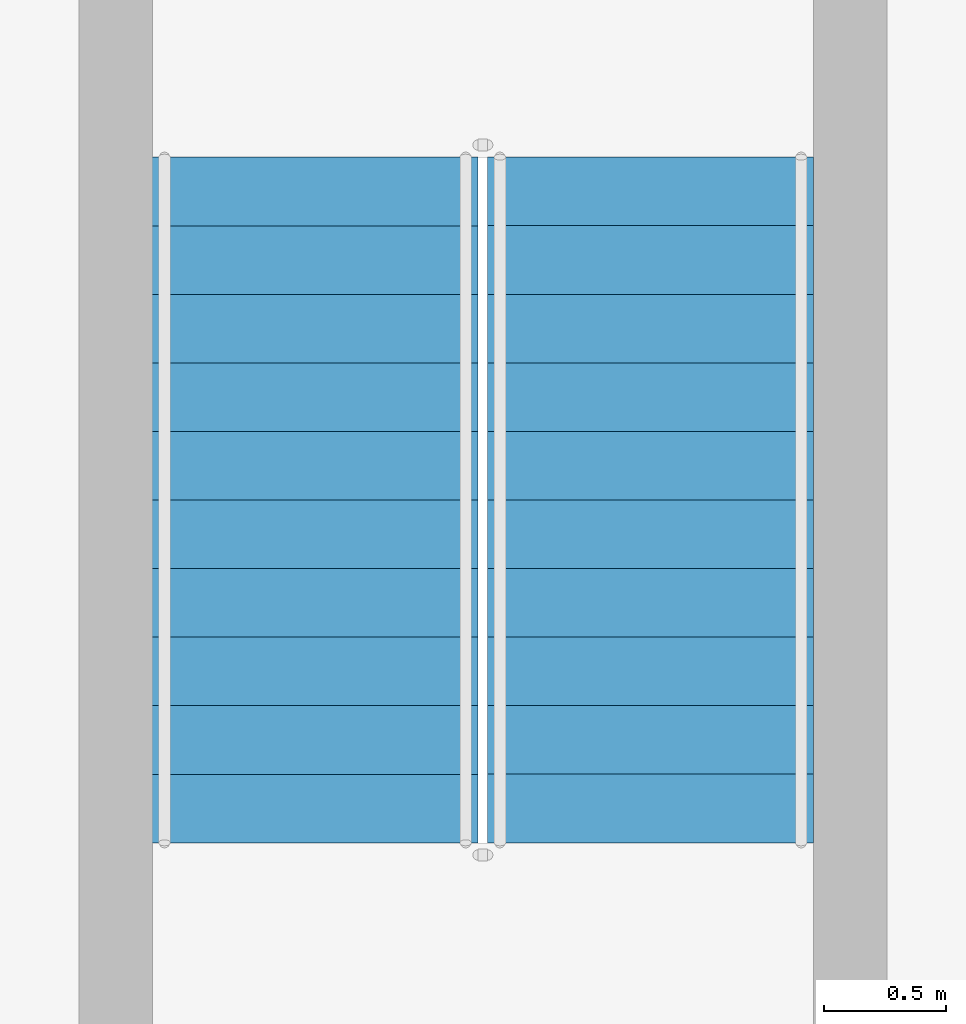
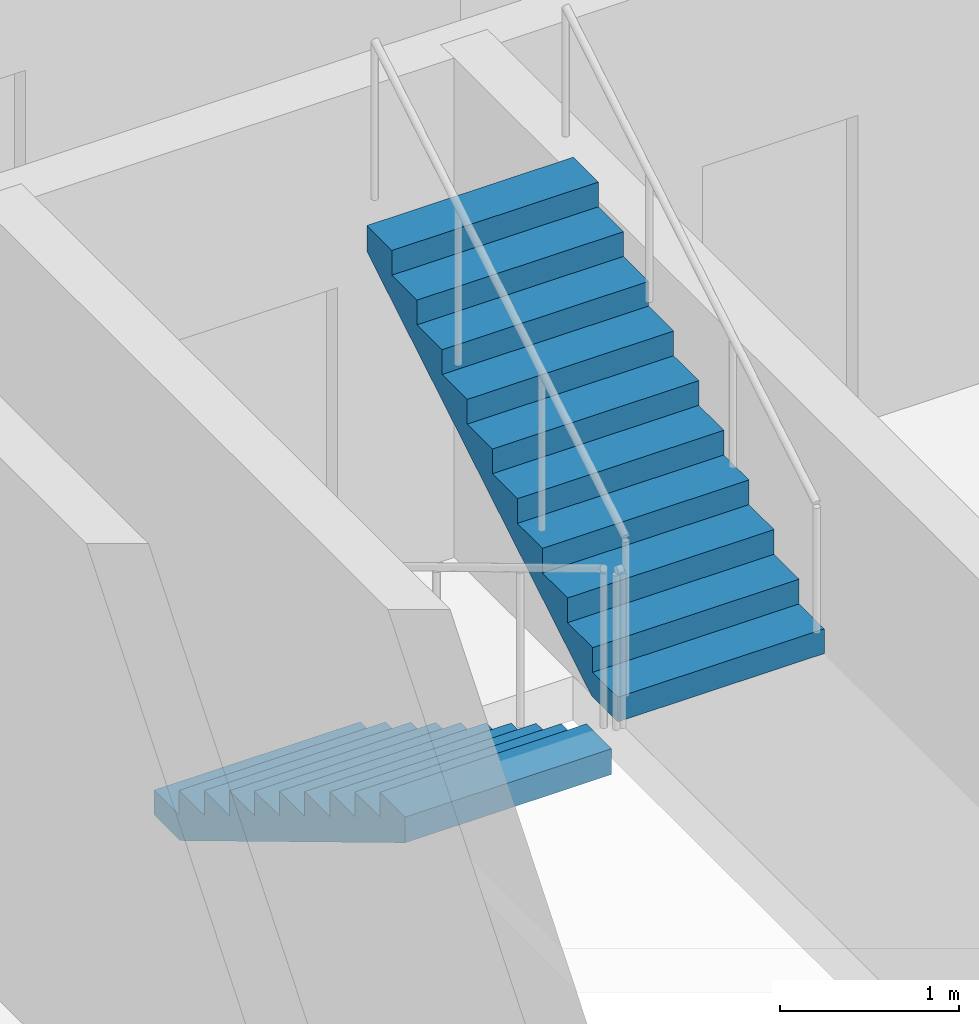
# One storey, part 17 of 22: 2 stair flights, 1 element without a shape of its own.
"""IFC4 building model written with IfcOpenShell, lengths in metres."""

from ifc_helpers import new_model, si_unit, direction, frame, origin, place, context, subcontext, project, spatial, triangles, source, transform, mapped, material, type_object, element, aggregate, save


model = new_model("IFC4")

# Units and contexts
model_context = context("Model", 3, precision=1e-05, world=origin(), true_north=direction((0.0, 1.0)))
body_context = subcontext(model_context, "Body", "Model", "MODEL_VIEW")
ifc_project = project(units=[si_unit("LENGTHUNIT", "METRE"), si_unit("AREAUNIT", "SQUARE_METRE"), si_unit("VOLUMEUNIT", "CUBIC_METRE"), si_unit("PLANEANGLEUNIT", "RADIAN"), si_unit("MASSUNIT", "GRAM", prefix="KILO")], contexts=[model_context])

# Site, building, storey
site_placement = place(None, origin())
site = spatial("IfcSite", under=ifc_project, at=site_placement, CompositionType="ELEMENT")
building_placement = place(site_placement, origin())
building = spatial("IfcBuilding", under=site, at=building_placement, Name="Ogive Portal Towers", CompositionType="ELEMENT")
storey_placement = place(building_placement, frame((0.0, 0.0, 206.89990234375)))
storey = spatial("IfcBuildingStorey", under=building, at=storey_placement, Name="L51", CompositionType="ELEMENT", Elevation=206.89990234375)

# Stair, stair flights
ifc_material = material(Name="Concrete C40/50", Category="concrete")
stair_type = type_object("IfcStairType", Name="INT-STAIR", PredefinedType="HALF_TURN_STAIR", material=ifc_material)
stair_placement = place(storey_placement, origin())
stair = element("IfcStair", 1, at=stair_placement, inside=storey, type_object=stair_type, Name="L51 Exit Stair ST-A4", PredefinedType="HALF_TURN_STAIR")
stair_flight_type = type_object("IfcStairFlightType", Name="INT-FLIGHT", PredefinedType="STRAIGHT", material=ifc_material)
shared_shape = source(origin(), body_context, "Body", "Tessellation", [
    triangles([(0.0, -0.6650390625, 0.0), (0.0, -0.384765625, 0.0), (0.0, -0.197021484375, 0.0), (0.0, -0.0830078125, 0.0), (0.0, -0.024658203125, 0.0), (0.0, -0.003173828125, 0.0), (0.0, 0.0, 0.0), (0.0, 0.003173828125, 0.0), (0.0, 0.024658203125, 0.0), (0.0, 0.0830078125, 0.0), (0.0, 0.197021484375, 0.0), (0.0, 0.384765625, 0.0), (0.0, 0.6650390625, 0.0), (0.0, -0.6650390625, 0.168212890625), (0.0, -0.384765625, 0.168212890625), (0.0, -0.197021484375, 0.168212890625), (0.0, -0.0830078125, 0.168212890625), (0.0, -0.024658203125, 0.168212890625), (0.0, -0.003173828125, 0.168212890625), (0.0, 0.0, 0.168212890625), (0.0, 0.003173828125, 0.168212890625), (0.0, 0.024658203125, 0.168212890625), (0.0, 0.0830078125, 0.168212890625), (0.0, 0.197021484375, 0.168212890625), (0.0, 0.384765625, 0.168212890625), (0.0, 0.6650390625, 0.168212890625), (0.280029296875, -0.6650390625, 0.168212890625), (0.280029296875, -0.384765625, 0.168212890625), (0.280029296875, -0.197021484375, 0.168212890625), (0.280029296875, -0.0830078125, 0.168212890625), (0.280029296875, -0.024658203125, 0.168212890625), (0.280029296875, -0.003173828125, 0.168212890625), (0.280029296875, 0.0, 0.168212890625), (0.280029296875, 0.003173828125, 0.168212890625), (0.280029296875, 0.024658203125, 0.168212890625), (0.280029296875, 0.0830078125, 0.168212890625), (0.280029296875, 0.197021484375, 0.168212890625), (0.280029296875, 0.384765625, 0.168212890625), (0.280029296875, 0.6650390625, 0.168212890625), (0.280029296875, -0.6650390625, 0.33642578125), (0.280029296875, -0.384765625, 0.33642578125), (0.280029296875, -0.197021484375, 0.33642578125), (0.280029296875, -0.0830078125, 0.33642578125), (0.280029296875, -0.024658203125, 0.33642578125), (0.280029296875, -0.003173828125, 0.33642578125), (0.280029296875, 0.0, 0.33642578125), (0.280029296875, 0.003173828125, 0.33642578125), (0.280029296875, 0.024658203125, 0.33642578125), (0.280029296875, 0.0830078125, 0.33642578125), (0.280029296875, 0.197021484375, 0.33642578125), (0.280029296875, 0.384765625, 0.33642578125), (0.280029296875, 0.6650390625, 0.33642578125), (0.56005859375, -0.6650390625, 0.33642578125), (0.56005859375, -0.384765625, 0.33642578125), (0.56005859375, -0.197021484375, 0.33642578125), (0.56005859375, -0.0830078125, 0.33642578125), (0.56005859375, -0.024658203125, 0.33642578125), (0.56005859375, -0.003173828125, 0.33642578125), (0.56005859375, 0.0, 0.33642578125), (0.56005859375, 0.003173828125, 0.33642578125), (0.56005859375, 0.024658203125, 0.33642578125), (0.56005859375, 0.0830078125, 0.33642578125), (0.56005859375, 0.197021484375, 0.33642578125), (0.56005859375, 0.384765625, 0.33642578125), (0.56005859375, 0.6650390625, 0.33642578125), (0.56005859375, -0.6650390625, 0.504638671875), (0.56005859375, -0.384765625, 0.504638671875), (0.56005859375, -0.197021484375, 0.504638671875), (0.56005859375, -0.0830078125, 0.504638671875), (0.56005859375, -0.024658203125, 0.504638671875), (0.56005859375, -0.003173828125, 0.504638671875), (0.56005859375, 0.0, 0.504638671875), (0.56005859375, 0.003173828125, 0.504638671875), (0.56005859375, 0.024658203125, 0.504638671875), (0.56005859375, 0.0830078125, 0.504638671875), (0.56005859375, 0.197021484375, 0.504638671875), (0.56005859375, 0.384765625, 0.504638671875), (0.56005859375, 0.6650390625, 0.504638671875), (0.840087890625, -0.6650390625, 0.504638671875), (0.840087890625, -0.384765625, 0.504638671875), (0.840087890625, -0.197021484375, 0.504638671875), (0.840087890625, -0.0830078125, 0.504638671875), (0.840087890625, -0.024658203125, 0.504638671875), (0.840087890625, -0.003173828125, 0.504638671875), (0.840087890625, 0.0, 0.504638671875), (0.840087890625, 0.003173828125, 0.504638671875), (0.840087890625, 0.024658203125, 0.504638671875), (0.840087890625, 0.0830078125, 0.504638671875), (0.840087890625, 0.197021484375, 0.504638671875), (0.840087890625, 0.384765625, 0.504638671875), (0.840087890625, 0.6650390625, 0.504638671875), (0.840087890625, -0.6650390625, 0.672607421875), (0.840087890625, -0.384765625, 0.672607421875), (0.840087890625, -0.197021484375, 0.672607421875), (0.840087890625, -0.0830078125, 0.672607421875), (0.840087890625, -0.024658203125, 0.672607421875), (0.840087890625, -0.003173828125, 0.672607421875), (0.840087890625, 0.0, 0.672607421875), (0.840087890625, 0.003173828125, 0.672607421875), (0.840087890625, 0.024658203125, 0.672607421875), (0.840087890625, 0.0830078125, 0.672607421875), (0.840087890625, 0.197021484375, 0.672607421875), (0.840087890625, 0.384765625, 0.672607421875), (0.840087890625, 0.6650390625, 0.672607421875), (1.1201171875, -0.6650390625, 0.672607421875), (1.1201171875, -0.384765625, 0.672607421875), (1.1201171875, -0.197021484375, 0.672607421875), (1.1201171875, -0.0830078125, 0.672607421875), (1.1201171875, -0.024658203125, 0.672607421875), (1.1201171875, -0.003173828125, 0.672607421875), (1.1201171875, 0.0, 0.672607421875), (1.1201171875, 0.003173828125, 0.672607421875), (1.1201171875, 0.024658203125, 0.672607421875), (1.1201171875, 0.0830078125, 0.672607421875), (1.1201171875, 0.197021484375, 0.672607421875), (1.1201171875, 0.384765625, 0.672607421875), (1.1201171875, 0.6650390625, 0.672607421875), (1.1201171875, -0.6650390625, 0.8408203125), (1.1201171875, -0.384765625, 0.8408203125), (1.1201171875, -0.197021484375, 0.8408203125), (1.1201171875, -0.0830078125, 0.8408203125), (1.1201171875, -0.024658203125, 0.8408203125), (1.1201171875, -0.003173828125, 0.8408203125), (1.1201171875, 0.0, 0.8408203125), (1.1201171875, 0.003173828125, 0.8408203125), (1.1201171875, 0.024658203125, 0.8408203125), (1.1201171875, 0.0830078125, 0.8408203125), (1.1201171875, 0.197021484375, 0.8408203125), (1.1201171875, 0.384765625, 0.8408203125), (1.1201171875, 0.6650390625, 0.8408203125), (1.39990234375, -0.6650390625, 0.8408203125), (1.39990234375, -0.384765625, 0.8408203125), (1.39990234375, -0.197021484375, 0.8408203125), (1.39990234375, -0.0830078125, 0.8408203125), (1.39990234375, -0.024658203125, 0.8408203125), (1.39990234375, -0.003173828125, 0.8408203125), (1.39990234375, 0.0, 0.8408203125), (1.39990234375, 0.003173828125, 0.8408203125), (1.39990234375, 0.024658203125, 0.8408203125), (1.39990234375, 0.0830078125, 0.8408203125), (1.39990234375, 0.197021484375, 0.8408203125), (1.39990234375, 0.384765625, 0.8408203125), (1.39990234375, 0.6650390625, 0.8408203125), (1.39990234375, -0.6650390625, 1.009033203125), (1.39990234375, -0.384765625, 1.009033203125), (1.39990234375, -0.197021484375, 1.009033203125), (1.39990234375, -0.0830078125, 1.009033203125), (1.39990234375, -0.024658203125, 1.009033203125), (1.39990234375, -0.003173828125, 1.009033203125), (1.39990234375, 0.0, 1.009033203125), (1.39990234375, 0.003173828125, 1.009033203125), (1.39990234375, 0.024658203125, 1.009033203125), (1.39990234375, 0.0830078125, 1.009033203125), (1.39990234375, 0.197021484375, 1.009033203125), (1.39990234375, 0.384765625, 1.009033203125), (1.39990234375, 0.6650390625, 1.009033203125), (1.679931640625, -0.6650390625, 1.009033203125), (1.679931640625, -0.384765625, 1.009033203125), (1.679931640625, -0.197021484375, 1.009033203125), (1.679931640625, -0.0830078125, 1.009033203125), (1.679931640625, -0.024658203125, 1.009033203125), (1.679931640625, -0.003173828125, 1.009033203125), (1.679931640625, 0.0, 1.009033203125), (1.679931640625, 0.003173828125, 1.009033203125), (1.679931640625, 0.024658203125, 1.009033203125), (1.679931640625, 0.0830078125, 1.009033203125), (1.679931640625, 0.197021484375, 1.009033203125), (1.679931640625, 0.384765625, 1.009033203125), (1.679931640625, 0.6650390625, 1.009033203125), (1.679931640625, -0.6650390625, 1.17724609375), (1.679931640625, -0.384765625, 1.17724609375), (1.679931640625, -0.197021484375, 1.17724609375), (1.679931640625, -0.0830078125, 1.17724609375), (1.679931640625, -0.024658203125, 1.17724609375), (1.679931640625, -0.003173828125, 1.17724609375), (1.679931640625, 0.0, 1.17724609375), (1.679931640625, 0.003173828125, 1.17724609375), (1.679931640625, 0.024658203125, 1.17724609375), (1.679931640625, 0.0830078125, 1.17724609375), (1.679931640625, 0.197021484375, 1.17724609375), (1.679931640625, 0.384765625, 1.17724609375), (1.679931640625, 0.6650390625, 1.17724609375), (1.9599609375, -0.6650390625, 1.17724609375), (1.9599609375, -0.384765625, 1.17724609375), (1.9599609375, -0.197021484375, 1.17724609375), (1.9599609375, -0.0830078125, 1.17724609375), (1.9599609375, -0.024658203125, 1.17724609375), (1.9599609375, -0.003173828125, 1.17724609375), (1.9599609375, 0.0, 1.17724609375), (1.9599609375, 0.003173828125, 1.17724609375), (1.9599609375, 0.024658203125, 1.17724609375), (1.9599609375, 0.0830078125, 1.17724609375), (1.9599609375, 0.197021484375, 1.17724609375), (1.9599609375, 0.384765625, 1.17724609375), (1.9599609375, 0.6650390625, 1.17724609375), (1.9599609375, -0.6650390625, 1.345458984375), (1.9599609375, -0.384765625, 1.345458984375), (1.9599609375, -0.197021484375, 1.345458984375), (1.9599609375, -0.0830078125, 1.345458984375), (1.9599609375, -0.024658203125, 1.345458984375), (1.9599609375, -0.003173828125, 1.345458984375), (1.9599609375, 0.0, 1.345458984375), (1.9599609375, 0.003173828125, 1.345458984375), (1.9599609375, 0.024658203125, 1.345458984375), (1.9599609375, 0.0830078125, 1.345458984375), (1.9599609375, 0.197021484375, 1.345458984375), (1.9599609375, 0.384765625, 1.345458984375), (1.9599609375, 0.6650390625, 1.345458984375), (2.239990234375, -0.6650390625, 1.345458984375), (2.239990234375, -0.384765625, 1.345458984375), (2.239990234375, -0.197021484375, 1.345458984375), (2.239990234375, -0.0830078125, 1.345458984375), (2.239990234375, -0.024658203125, 1.345458984375), (2.239990234375, -0.003173828125, 1.345458984375), (2.239990234375, 0.0, 1.345458984375), (2.239990234375, 0.003173828125, 1.345458984375), (2.239990234375, 0.024658203125, 1.345458984375), (2.239990234375, 0.0830078125, 1.345458984375), (2.239990234375, 0.197021484375, 1.345458984375), (2.239990234375, 0.384765625, 1.345458984375), (2.239990234375, 0.6650390625, 1.345458984375), (2.239990234375, -0.6650390625, 1.513671875), (2.239990234375, -0.384765625, 1.513671875), (2.239990234375, -0.197021484375, 1.513671875), (2.239990234375, -0.0830078125, 1.513671875), (2.239990234375, -0.024658203125, 1.513671875), (2.239990234375, -0.003173828125, 1.513671875), (2.239990234375, 0.0, 1.513671875), (2.239990234375, 0.003173828125, 1.513671875), (2.239990234375, 0.024658203125, 1.513671875), (2.239990234375, 0.0830078125, 1.513671875), (2.239990234375, 0.197021484375, 1.513671875), (2.239990234375, 0.384765625, 1.513671875), (2.239990234375, 0.6650390625, 1.513671875), (2.52001953125, -0.6650390625, 1.513671875), (2.52001953125, -0.384765625, 1.513671875), (2.52001953125, -0.197021484375, 1.513671875), (2.52001953125, -0.0830078125, 1.513671875), (2.52001953125, -0.024658203125, 1.513671875), (2.52001953125, -0.003173828125, 1.513671875), (2.52001953125, 0.0, 1.513671875), (2.52001953125, 0.003173828125, 1.513671875), (2.52001953125, 0.024658203125, 1.513671875), (2.52001953125, 0.0830078125, 1.513671875), (2.52001953125, 0.197021484375, 1.513671875), (2.52001953125, 0.384765625, 1.513671875), (2.52001953125, 0.6650390625, 1.513671875), (2.52001953125, -0.6650390625, 1.681884765625), (2.52001953125, -0.384765625, 1.681884765625), (2.52001953125, -0.197021484375, 1.681884765625), (2.52001953125, -0.0830078125, 1.681884765625), (2.52001953125, -0.024658203125, 1.681884765625), (2.52001953125, -0.003173828125, 1.681884765625), (2.52001953125, 0.0, 1.681884765625), (2.52001953125, 0.003173828125, 1.681884765625), (2.52001953125, 0.024658203125, 1.681884765625), (2.52001953125, 0.0830078125, 1.681884765625), (2.52001953125, 0.197021484375, 1.681884765625), (2.52001953125, 0.384765625, 1.681884765625), (2.52001953125, 0.6650390625, 1.681884765625), (2.800048828125, -0.6650390625, 1.681884765625), (2.800048828125, -0.384765625, 1.681884765625), (2.800048828125, -0.197021484375, 1.681884765625), (2.800048828125, -0.0830078125, 1.681884765625), (2.800048828125, -0.024658203125, 1.681884765625), (2.800048828125, -0.003173828125, 1.681884765625), (2.800048828125, 0.0, 1.681884765625), (2.800048828125, 0.003173828125, 1.681884765625), (2.800048828125, 0.024658203125, 1.681884765625), (2.800048828125, 0.0830078125, 1.681884765625), (2.800048828125, 0.197021484375, 1.681884765625), (2.800048828125, 0.384765625, 1.681884765625), (2.800048828125, 0.6650390625, 1.681884765625), (2.800048828125, -0.6650390625, 1.5068359375), (2.800048828125, -0.384765625, 1.5068359375), (2.800048828125, -0.197021484375, 1.5068359375), (2.800048828125, -0.0830078125, 1.5068359375), (2.800048828125, -0.024658203125, 1.5068359375), (2.800048828125, -0.003173828125, 1.5068359375), (2.800048828125, 0.0, 1.5068359375), (2.800048828125, 0.003173828125, 1.5068359375), (2.800048828125, 0.024658203125, 1.5068359375), (2.800048828125, 0.0830078125, 1.5068359375), (2.800048828125, 0.197021484375, 1.5068359375), (2.800048828125, 0.384765625, 1.5068359375), (2.800048828125, 0.6650390625, 1.5068359375), (0.291015625, -0.6650390625, 0.0), (0.291015625, -0.384765625, 0.0), (0.291015625, -0.197021484375, 0.0), (0.291015625, -0.0830078125, 0.0), (0.291015625, -0.024658203125, 0.0), (0.291015625, -0.003173828125, 0.0), (0.291015625, 0.0, 0.0), (0.291015625, 0.003173828125, 0.0), (0.291015625, 0.024658203125, 0.0), (0.291015625, 0.0830078125, 0.0), (0.291015625, 0.197021484375, 0.0), (0.291015625, 0.384765625, 0.0), (0.291015625, 0.6650390625, 0.0)], [[1, 14, 15], [1, 15, 2], [2, 15, 16], [2, 16, 3], [3, 16, 17], [3, 17, 4], [4, 17, 18], [4, 18, 5], [5, 18, 19], [5, 19, 6], [6, 19, 20], [6, 20, 7], [7, 20, 21], [7, 21, 8], [8, 21, 22], [8, 22, 9], [9, 22, 23], [9, 23, 10], [10, 23, 24], [10, 24, 11], [11, 24, 25], [11, 25, 12], [12, 25, 26], [12, 26, 13], [14, 27, 28], [14, 28, 15], [15, 28, 29], [15, 29, 16], [16, 29, 30], [16, 30, 17], [17, 30, 31], [17, 31, 18], [18, 31, 32], [18, 32, 19], [19, 32, 33], [19, 33, 20], [20, 33, 34], [20, 34, 21], [21, 34, 35], [21, 35, 22], [22, 35, 36], [22, 36, 23], [23, 36, 37], [23, 37, 24], [24, 37, 38], [24, 38, 25], [25, 38, 39], [25, 39, 26], [27, 40, 41], [27, 41, 28], [28, 41, 42], [28, 42, 29], [29, 42, 43], [29, 43, 30], [30, 43, 44], [30, 44, 31], [31, 44, 45], [31, 45, 32], [32, 45, 46], [32, 46, 33], [33, 46, 47], [33, 47, 34], [34, 47, 48], [34, 48, 35], [35, 48, 49], [35, 49, 36], [36, 49, 50], [36, 50, 37], [37, 50, 51], [37, 51, 38], [38, 51, 52], [38, 52, 39], [40, 53, 54], [40, 54, 41], [41, 54, 55], [41, 55, 42], [42, 55, 56], [42, 56, 43], [43, 56, 57], [43, 57, 44], [44, 57, 58], [44, 58, 45], [45, 58, 59], [45, 59, 46], [46, 59, 60], [46, 60, 47], [47, 60, 61], [47, 61, 48], [48, 61, 62], [48, 62, 49], [49, 62, 63], [49, 63, 50], [50, 63, 64], [50, 64, 51], [51, 64, 65], [51, 65, 52], [53, 66, 67], [53, 67, 54], [54, 67, 68], [54, 68, 55], [55, 68, 69], [55, 69, 56], [56, 69, 70], [56, 70, 57], [57, 70, 71], [57, 71, 58], [58, 71, 72], [58, 72, 59], [59, 72, 73], [59, 73, 60], [60, 73, 74], [60, 74, 61], [61, 74, 75], [61, 75, 62], [62, 75, 76], [62, 76, 63], [63, 76, 77], [63, 77, 64], [64, 77, 78], [64, 78, 65], [66, 79, 80], [66, 80, 67], [67, 80, 81], [67, 81, 68], [68, 81, 82], [68, 82, 69], [69, 82, 83], [69, 83, 70], [70, 83, 84], [70, 84, 71], [71, 84, 85], [71, 85, 72], [72, 85, 86], [72, 86, 73], [73, 86, 87], [73, 87, 74], [74, 87, 88], [74, 88, 75], [75, 88, 89], [75, 89, 76], [76, 89, 90], [76, 90, 77], [77, 90, 91], [77, 91, 78], [79, 92, 93], [79, 93, 80], [80, 93, 94], [80, 94, 81], [81, 94, 95], [81, 95, 82], [82, 95, 96], [82, 96, 83], [83, 96, 97], [83, 97, 84], [84, 97, 98], [84, 98, 85], [85, 98, 99], [85, 99, 86], [86, 99, 100], [86, 100, 87], [87, 100, 101], [87, 101, 88], [88, 101, 102], [88, 102, 89], [89, 102, 103], [89, 103, 90], [90, 103, 104], [90, 104, 91], [92, 105, 106], [92, 106, 93], [93, 106, 107], [93, 107, 94], [94, 107, 108], [94, 108, 95], [95, 108, 109], [95, 109, 96], [96, 109, 110], [96, 110, 97], [97, 110, 111], [97, 111, 98], [98, 111, 112], [98, 112, 99], [99, 112, 113], [99, 113, 100], [100, 113, 114], [100, 114, 101], [101, 114, 115], [101, 115, 102], [102, 115, 116], [102, 116, 103], [103, 116, 117], [103, 117, 104], [105, 118, 119], [105, 119, 106], [106, 119, 120], [106, 120, 107], [107, 120, 121], [107, 121, 108], [108, 121, 122], [108, 122, 109], [109, 122, 123], [109, 123, 110], [110, 123, 124], [110, 124, 111], [111, 124, 125], [111, 125, 112], [112, 125, 126], [112, 126, 113], [113, 126, 127], [113, 127, 114], [114, 127, 128], [114, 128, 115], [115, 128, 129], [115, 129, 116], [116, 129, 130], [116, 130, 117], [118, 131, 132], [118, 132, 119], [119, 132, 133], [119, 133, 120], [120, 133, 134], [120, 134, 121], [121, 134, 135], [121, 135, 122], [122, 135, 136], [122, 136, 123], [123, 136, 137], [123, 137, 124], [124, 137, 138], [124, 138, 125], [125, 138, 139], [125, 139, 126], [126, 139, 140], [126, 140, 127], [127, 140, 141], [127, 141, 128], [128, 141, 142], [128, 142, 129], [129, 142, 143], [129, 143, 130], [131, 144, 145], [131, 145, 132], [132, 145, 146], [132, 146, 133], [133, 146, 147], [133, 147, 134], [134, 147, 148], [134, 148, 135], [135, 148, 149], [135, 149, 136], [136, 149, 150], [136, 150, 137], [137, 150, 151], [137, 151, 138], [138, 151, 152], [138, 152, 139], [139, 152, 153], [139, 153, 140], [140, 153, 154], [140, 154, 141], [141, 154, 155], [141, 155, 142], [142, 155, 156], [142, 156, 143], [144, 157, 158], [144, 158, 145], [145, 158, 159], [145, 159, 146], [146, 159, 160], [146, 160, 147], [147, 160, 161], [147, 161, 148], [148, 161, 162], [148, 162, 149], [149, 162, 163], [149, 163, 150], [150, 163, 164], [150, 164, 151], [151, 164, 165], [151, 165, 152], [152, 165, 166], [152, 166, 153], [153, 166, 167], [153, 167, 154], [154, 167, 168], [154, 168, 155], [155, 168, 169], [155, 169, 156], [157, 170, 171], [157, 171, 158], [158, 171, 172], [158, 172, 159], [159, 172, 173], [159, 173, 160], [160, 173, 174], [160, 174, 161], [161, 174, 175], [161, 175, 162], [162, 175, 176], [162, 176, 163], [163, 176, 177], [163, 177, 164], [164, 177, 178], [164, 178, 165], [165, 178, 179], [165, 179, 166], [166, 179, 180], [166, 180, 167], [167, 180, 181], [167, 181, 168], [168, 181, 182], [168, 182, 169], [170, 183, 184], [170, 184, 171], [171, 184, 185], [171, 185, 172], [172, 185, 186], [172, 186, 173], [173, 186, 187], [173, 187, 174], [174, 187, 188], [174, 188, 175], [175, 188, 189], [175, 189, 176], [176, 189, 190], [176, 190, 177], [177, 190, 191], [177, 191, 178], [178, 191, 192], [178, 192, 179], [179, 192, 193], [179, 193, 180], [180, 193, 194], [180, 194, 181], [181, 194, 195], [181, 195, 182], [183, 196, 197], [183, 197, 184], [184, 197, 198], [184, 198, 185], [185, 198, 199], [185, 199, 186], [186, 199, 200], [186, 200, 187], [187, 200, 201], [187, 201, 188], [188, 201, 202], [188, 202, 189], [189, 202, 203], [189, 203, 190], [190, 203, 204], [190, 204, 191], [191, 204, 205], [191, 205, 192], [192, 205, 206], [192, 206, 193], [193, 206, 207], [193, 207, 194], [194, 207, 208], [194, 208, 195], [196, 209, 210], [196, 210, 197], [197, 210, 211], [197, 211, 198], [198, 211, 212], [198, 212, 199], [199, 212, 213], [199, 213, 200], [200, 213, 214], [200, 214, 201], [201, 214, 215], [201, 215, 202], [202, 215, 216], [202, 216, 203], [203, 216, 217], [203, 217, 204], [204, 217, 218], [204, 218, 205], [205, 218, 219], [205, 219, 206], [206, 219, 220], [206, 220, 207], [207, 220, 221], [207, 221, 208], [209, 222, 223], [209, 223, 210], [210, 223, 224], [210, 224, 211], [211, 224, 225], [211, 225, 212], [212, 225, 226], [212, 226, 213], [213, 226, 227], [213, 227, 214], [214, 227, 228], [214, 228, 215], [215, 228, 229], [215, 229, 216], [216, 229, 230], [216, 230, 217], [217, 230, 231], [217, 231, 218], [218, 231, 232], [218, 232, 219], [219, 232, 233], [219, 233, 220], [220, 233, 234], [220, 234, 221], [222, 235, 236], [222, 236, 223], [223, 236, 237], [223, 237, 224], [224, 237, 238], [224, 238, 225], [225, 238, 239], [225, 239, 226], [226, 239, 240], [226, 240, 227], [227, 240, 241], [227, 241, 228], [228, 241, 242], [228, 242, 229], [229, 242, 243], [229, 243, 230], [230, 243, 244], [230, 244, 231], [231, 244, 245], [231, 245, 232], [232, 245, 246], [232, 246, 233], [233, 246, 247], [233, 247, 234], [235, 248, 249], [235, 249, 236], [236, 249, 250], [236, 250, 237], [237, 250, 251], [237, 251, 238], [238, 251, 252], [238, 252, 239], [239, 252, 253], [239, 253, 240], [240, 253, 254], [240, 254, 241], [241, 254, 255], [241, 255, 242], [242, 255, 256], [242, 256, 243], [243, 256, 257], [243, 257, 244], [244, 257, 258], [244, 258, 245], [245, 258, 259], [245, 259, 246], [246, 259, 260], [246, 260, 247], [248, 261, 262], [248, 262, 249], [249, 262, 263], [249, 263, 250], [250, 263, 264], [250, 264, 251], [251, 264, 265], [251, 265, 252], [252, 265, 266], [252, 266, 253], [253, 266, 267], [253, 267, 254], [254, 267, 268], [254, 268, 255], [255, 268, 269], [255, 269, 256], [256, 269, 270], [256, 270, 257], [257, 270, 271], [257, 271, 258], [258, 271, 272], [258, 272, 259], [259, 272, 273], [259, 273, 260], [261, 274, 275], [261, 275, 262], [262, 275, 276], [262, 276, 263], [263, 276, 277], [263, 277, 264], [264, 277, 278], [264, 278, 265], [265, 278, 279], [265, 279, 266], [266, 279, 280], [266, 280, 267], [267, 280, 281], [267, 281, 268], [268, 281, 282], [268, 282, 269], [269, 282, 283], [269, 283, 270], [270, 283, 284], [270, 284, 271], [271, 284, 285], [271, 285, 272], [272, 285, 286], [272, 286, 273], [274, 287, 288], [274, 288, 275], [275, 288, 289], [275, 289, 276], [276, 289, 290], [276, 290, 277], [277, 290, 291], [277, 291, 278], [278, 291, 292], [278, 292, 279], [279, 292, 293], [279, 293, 280], [280, 293, 294], [280, 294, 281], [281, 294, 295], [281, 295, 282], [282, 295, 296], [282, 296, 283], [283, 296, 297], [283, 297, 284], [284, 297, 298], [284, 298, 285], [285, 298, 299], [285, 299, 286], [287, 1, 2], [287, 2, 288], [288, 2, 3], [288, 3, 289], [289, 3, 4], [289, 4, 290], [290, 4, 5], [290, 5, 291], [291, 5, 6], [291, 6, 292], [292, 6, 7], [292, 7, 293], [293, 7, 8], [293, 8, 294], [294, 8, 9], [294, 9, 295], [295, 9, 10], [295, 10, 296], [296, 10, 11], [296, 11, 297], [297, 11, 12], [297, 12, 298], [298, 12, 13], [298, 13, 299], [1, 287, 274], [13, 286, 299], [274, 261, 248], [286, 260, 273], [274, 248, 235], [286, 247, 260], [274, 235, 222], [286, 234, 247], [274, 222, 209], [286, 221, 234], [209, 196, 183], [221, 195, 208], [274, 209, 183], [286, 195, 221], [183, 170, 157], [195, 169, 182], [274, 183, 157], [286, 169, 195], [157, 144, 131], [169, 143, 156], [274, 157, 131], [286, 143, 169], [131, 118, 105], [143, 117, 130], [274, 131, 105], [286, 117, 143], [1, 274, 105], [13, 117, 286], [105, 92, 79], [117, 91, 104], [79, 66, 53], [91, 65, 78], [105, 79, 53], [117, 65, 91], [53, 40, 27], [65, 39, 52], [105, 53, 27], [117, 39, 65], [1, 105, 27], [13, 39, 117], [27, 14, 1], [39, 13, 26]], closed=True),
])
stair_flight_1_placement = place(storey_placement, frame((87.6650390625, 29.169921875, 0.0), z_axis=(0.0, 0.0, 1.0), x_axis=(0.0, -1.0, 0.0)))
stair_flight_1 = element("IfcStairFlight", 2, at=stair_flight_1_placement, type_object=stair_flight_type, Name="ST-A4 flight 1", NumberOfRisers=11, NumberOfTreads=10, PredefinedType="STRAIGHT", RiserHeight=0.168181818, TreadLength=0.28, context=body_context, shape_type="MappedRepresentation", body=[
    mapped(shared_shape, transform((0.0, 0.0, 0.0), scale=1.0)),
])
stair_flight_2_placement = place(storey_placement, frame((89.034912109375, 26.3701171875, 1.85009765625), z_axis=(0.0, 0.0, 1.0), x_axis=(0.0, 1.0, 0.0)))
stair_flight_2 = element("IfcStairFlight", 3, at=stair_flight_2_placement, type_object=stair_flight_type, Name="ST-A4 flight 2", NumberOfRisers=11, NumberOfTreads=10, PredefinedType="STRAIGHT", RiserHeight=0.168181818, TreadLength=0.28, context=body_context, shape_type="MappedRepresentation", body=[
    mapped(shared_shape, transform((0.0, 0.0, 0.0), scale=1.0)),
])
aggregate(stair, [stair_flight_1, stair_flight_2])

save(model, "model.ifc")
